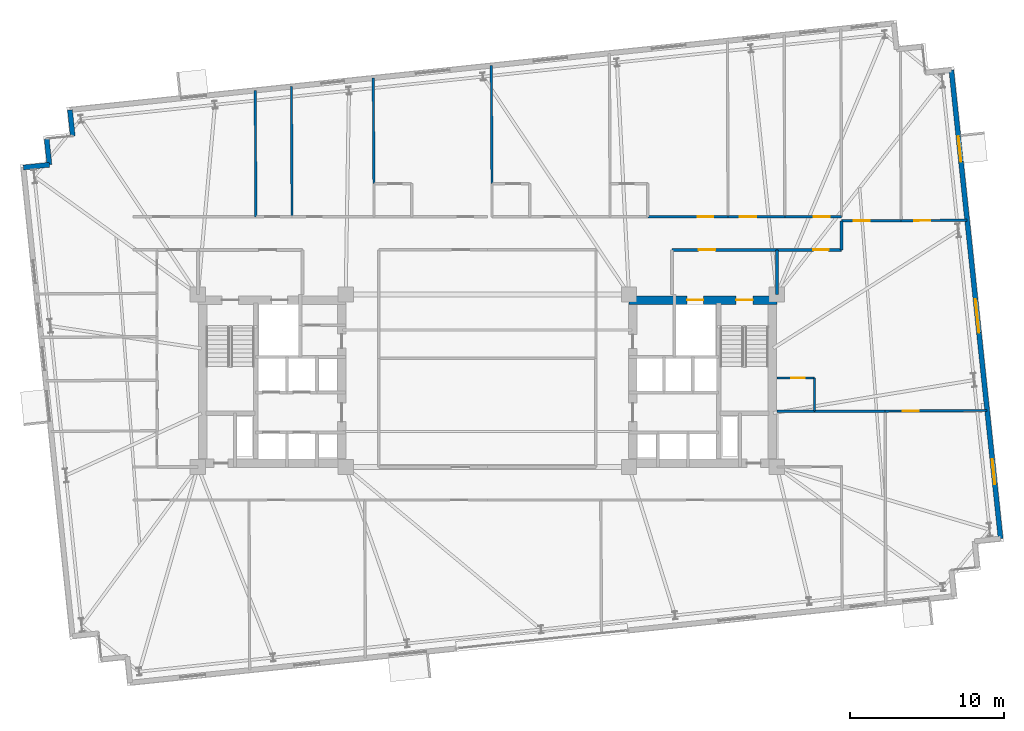
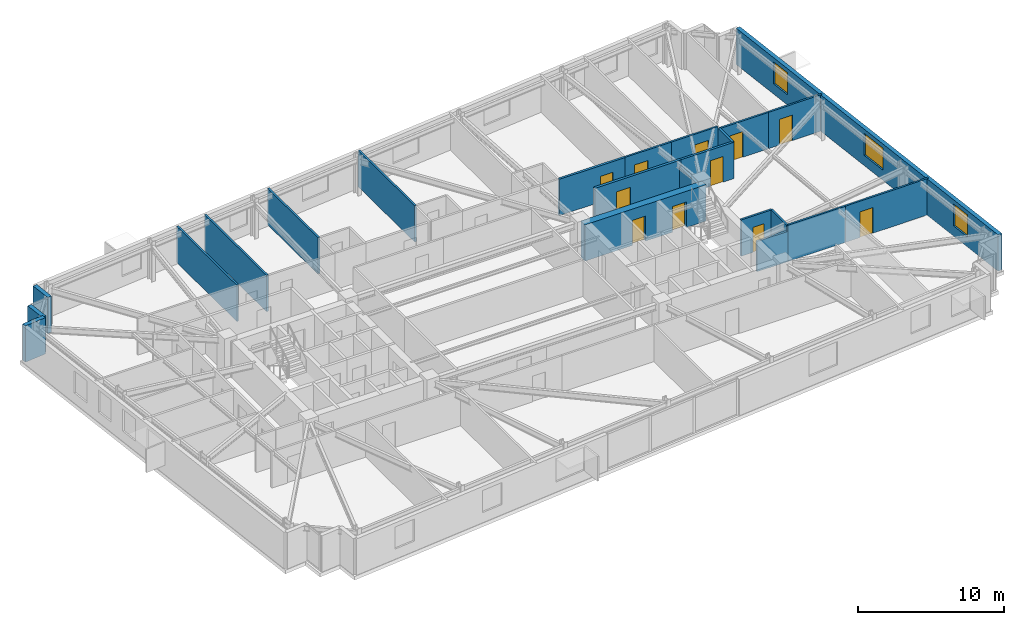
# One storey, part 19 of 23: 23 walls, 11 doors, 3 windows, 14 openings.
"""IFC4 building model written with IfcOpenShell, lengths in metres."""

from ifc_helpers import new_model, si_unit, direction, frame, frame_2d, origin, place, context, subcontext, project, spatial, rectangle, extrude, material, layer, layer_set, type_object, element, fill, save


model = new_model("IFC4")

# Units and contexts
model_context = context("Model", 3, precision=1e-05, world=origin(), true_north=direction((0.0, 1.0)))
body_context = subcontext(model_context, "Body", "Model", "MODEL_VIEW")
ifc_project = project(units=[si_unit("LENGTHUNIT", "METRE"), si_unit("AREAUNIT", "SQUARE_METRE"), si_unit("VOLUMEUNIT", "CUBIC_METRE"), si_unit("PLANEANGLEUNIT", "RADIAN"), si_unit("MASSUNIT", "GRAM", prefix="KILO")], contexts=[model_context])

# Site, building, storey
site_placement = place(None, origin())
site = spatial("IfcSite", under=ifc_project, at=site_placement, CompositionType="ELEMENT")
building_placement = place(site_placement, origin())
building = spatial("IfcBuilding", under=site, at=building_placement, Name="Qobustan Lattice House", CompositionType="ELEMENT")
storey_placement = place(building_placement, frame((0.0, 0.0, 102.449951171875)))
storey = spatial("IfcBuildingStorey", under=building, at=storey_placement, Name="L28", CompositionType="ELEMENT", Elevation=102.449951171875)

# Wall, openings, doors
ifc_material_1 = material(Name="Concrete C60/75", Category="concrete")
ifc_layer_1 = layer(ifc_material_1, 0.56005859375)
ifc_layer_set_1 = layer_set([ifc_layer_1], Name="Concrete C60/75")
wall_type_1 = type_object("IfcWallType", Name="WAL-CORE-600", PredefinedType="SHEAR", material=ifc_layer_set_1)
wall_1_placement = place(storey_placement, frame((9.199951171875, 5.239990234375, 0.0), z_axis=(0.0, 0.0, 1.0), x_axis=(1.0, 0.0, 0.0)))
wall_1 = element("IfcWall", 1, at=wall_1_placement, inside=storey, type_object=wall_type_1, Name="L28 split-core shear wall CE-N", PredefinedType="SHEAR", context=body_context, shape_type="SweptSolid", body=[
    extrude(rectangle(XDim=9.60009765625, YDim=0.56005859375, at=frame_2d((4.800048828125, 0.0))), origin(), (0.0, 0.0, 1.0), 3.045166015625),
])
opening_1_placement = place(wall_1_placement, frame((6.949951171875, 0.0, 0.0)))
opening_1 = element("IfcOpeningElement", 2, at=opening_1_placement, cuts=wall_1, Name="Opening SD-01", PredefinedType="OPENING", context=body_context, shape_type="SweptSolid", body=[
    extrude(rectangle(XDim=1.10009765625, YDim=2.14990234375, at=frame_2d((0.550048828125, 1.074951171875))), frame((0.0, 0.2900390625, 0.0), z_axis=(0.0, -1.0, 0.0), x_axis=(1.0, 0.0, 0.0)), (0.0, 0.0, 1.0), 0.580078125),
])
opening_2_placement = place(wall_1_placement, frame((3.77490234375, 0.0, 0.0)))
opening_2 = element("IfcOpeningElement", 3, at=opening_2_placement, cuts=wall_1, Name="Opening LD-01", PredefinedType="OPENING", context=body_context, shape_type="SweptSolid", body=[
    extrude(rectangle(XDim=1.050048828125, YDim=2.10009765625, at=frame_2d((0.52490234375, 1.050048828125))), frame((0.0, 0.2900390625, 0.0), z_axis=(0.0, -1.0, 0.0), x_axis=(1.0, 0.0, 0.0)), (0.0, 0.0, 1.0), 0.580078125),
])
ifc_material_2 = material(Name="Persian walnut timber and steel frame door", Category="steel")
door_type_1 = type_object("IfcDoorType", Name="DOR-LIFT-LD-1050x2100", OperationType="NOTDEFINED", PredefinedType="DOOR", material=ifc_material_2)
door_1_placement = place(opening_2_placement, origin())
door_1 = element("IfcDoor", 4, at=door_1_placement, inside=storey, type_object=door_type_1, Name="L28 firefighting lift FF-E landing door", OperationType="DOUBLE_DOOR_SLIDING", OverallHeight=2.10009765625, OverallWidth=1.050048828125, PredefinedType="DOOR", context=body_context, shape_type="SweptSolid", body=[
    extrude(rectangle(XDim=1.050048828125, YDim=2.10009765625, at=frame_2d((0.52490234375, 1.050048828125))), frame((0.0, 0.02490234375, 0.0), z_axis=(0.0, -1.0, 0.0), x_axis=(1.0, 0.0, 0.0)), (0.0, 0.0, 1.0), 0.050048828125),
])
fill(opening_2, door_1)
ifc_material_3 = material(Name="Persian walnut timber and steel frame door", Category="steel")
door_type_2 = type_object("IfcDoorType", Name="DOR-STAIR-FD-1100x2150", OperationType="NOTDEFINED", PredefinedType="DOOR", material=ifc_material_3)
door_2_placement = place(opening_1_placement, origin())
door_2 = element("IfcDoor", 5, at=door_2_placement, inside=storey, type_object=door_type_2, Name="L28 exit stair ST-E1 fire door", OperationType="SINGLE_SWING_RIGHT", OverallHeight=2.14990234375, OverallWidth=1.10009765625, PredefinedType="DOOR", context=body_context, shape_type="SweptSolid", body=[
    extrude(rectangle(XDim=1.10009765625, YDim=2.14990234375, at=frame_2d((0.550048828125, 1.074951171875))), frame((0.0, 0.02490234375, 0.0), z_axis=(0.0, -1.0, 0.0), x_axis=(1.0, 0.0, 0.0)), (0.0, 0.0, 1.0), 0.050048828125),
])
fill(opening_1, door_2)

# Walls
ifc_material_4 = material(Name="Precast concrete C40/50", Category="concrete")
ifc_layer_2 = layer(ifc_material_4, 0.320068359375)
ifc_layer_set_2 = layer_set([ifc_layer_2], Name="Precast concrete C40/50")
wall_type_2 = type_object("IfcWallType", Name="WAL-EXT-STONE-320", PredefinedType="SOLIDWALL", material=ifc_layer_set_2)
for number, where, z_axis, x_axis, name in (
    (6, (-30.13330078125, 13.84912109375, 0.0), (0.0, 0.0, 1.0), (0.994534530939, 0.104408173862, 0.0), "L28 exterior limestone-clad wall 6"),
    (7, (-28.442626953125, 14.026611328125, 0.0), (0.0, 0.0, 1.0), (-0.104550220202, 0.994519608382, 0.0), "L28 exterior limestone-clad wall 7"),
    (8, (-26.9296875, 15.89501953125, 0.0), (0.0, 0.0, 1.0), (-0.104550220202, 0.994519608382, 0.0), "L28 exterior limestone-clad wall 9"),
):
    element("IfcWall", number, at=place(storey_placement, frame(where, z_axis=z_axis, x_axis=x_axis)), inside=storey, type_object=wall_type_2, Name=name, PredefinedType="SOLIDWALL", context=body_context, shape_type="SweptSolid", body=[
        extrude(rectangle(XDim=1.699951171875, YDim=0.320068359375, at=frame_2d((0.85009765625, 0.0))), origin(), (0.0, 0.0, 1.0), 3.045166015625),
    ])

# Wall, openings, windows
wall_2_placement = place(storey_placement, frame((30.134765625, 20.183349609375, 0.0), z_axis=(0.0, 0.0, 1.0), x_axis=(0.104525716865, -0.994522184023, 0.0)))
wall_2 = element("IfcWall", 9, at=wall_2_placement, inside=storey, type_object=wall_type_2, Name="L28 exterior limestone-clad wall 15", PredefinedType="SOLIDWALL", context=body_context, shape_type="SweptSolid", body=[
    extrude(rectangle(XDim=30.60009765625, YDim=0.320068359375, at=frame_2d((15.300048828125, 0.0))), origin(), (0.0, 0.0, 1.0), 3.045166015625),
])
opening_3_placement = place(wall_2_placement, frame((4.341796875, 0.0, 0.85009765625)))
opening_3 = element("IfcOpeningElement", 10, at=opening_3_placement, cuts=wall_2, Name="Opening WN-09", PredefinedType="OPENING", context=body_context, shape_type="SweptSolid", body=[
    extrude(rectangle(XDim=1.64990234375, YDim=1.85009765625, at=frame_2d((0.824951171875, 0.925048828125))), frame((0.0, 0.169921875, 0.0), z_axis=(0.0, -1.0, 0.0), x_axis=(1.0, 0.0, 0.0)), (0.0, 0.0, 1.0), 0.340087890625),
])
opening_4_placement = place(wall_2_placement, frame((14.9609375, 0.0, 0.85009765625)))
opening_4 = element("IfcOpeningElement", 11, at=opening_4_placement, cuts=wall_2, Name="Opening WN-03", PredefinedType="OPENING", context=body_context, shape_type="SweptSolid", body=[
    extrude(rectangle(XDim=2.199951171875, YDim=1.85009765625, at=frame_2d((1.10009765625, 0.925048828125))), frame((0.0, 0.169921875, 0.0), z_axis=(0.0, -1.0, 0.0), x_axis=(1.0, 0.0, 0.0)), (0.0, 0.0, 1.0), 0.340087890625),
])
opening_5_placement = place(wall_2_placement, frame((25.4091796875, 0.0, 0.85009765625)))
opening_5 = element("IfcOpeningElement", 12, at=opening_5_placement, cuts=wall_2, Name="Opening WN-09", PredefinedType="OPENING", context=body_context, shape_type="SweptSolid", body=[
    extrude(rectangle(XDim=1.64990234375, YDim=1.85009765625, at=frame_2d((0.824951171875, 0.925048828125))), frame((0.0, 0.169921875, 0.0), z_axis=(0.0, -1.0, 0.0), x_axis=(1.0, 0.0, 0.0)), (0.0, 0.0, 1.0), 0.340087890625),
])
ifc_material_5 = material(Name="Double-glazed low-E aluminium window", Category="aluminium")
window_type_1 = type_object("IfcWindowType", Name="WIN-STU-1650x1850", PartitioningType="SINGLE_PANEL", PredefinedType="WINDOW", material=ifc_material_5)
window_1_placement = place(opening_3_placement, origin())
window_1 = element("IfcWindow", 13, at=window_1_placement, inside=storey, type_object=window_type_1, Name="L28 Focus study room E3B window", OverallHeight=1.85009765625, OverallWidth=1.64990234375, PartitioningType="SINGLE_PANEL", PredefinedType="WINDOW", context=body_context, shape_type="SweptSolid", body=[
    extrude(rectangle(XDim=1.64990234375, YDim=1.85009765625, at=frame_2d((0.824951171875, 0.925048828125))), frame((0.0, 0.030029296875, 0.0), z_axis=(0.0, -1.0, 0.0), x_axis=(1.0, 0.0, 0.0)), (0.0, 0.0, 1.0), 0.06005859375),
])
fill(opening_3, window_1)
window_2_placement = place(opening_5_placement, origin())
window_2 = element("IfcWindow", 14, at=window_2_placement, inside=storey, type_object=window_type_1, Name="L28 Focus study room E1B window", OverallHeight=1.85009765625, OverallWidth=1.64990234375, PartitioningType="SINGLE_PANEL", PredefinedType="WINDOW", context=body_context, shape_type="SweptSolid", body=[
    extrude(rectangle(XDim=1.64990234375, YDim=1.85009765625, at=frame_2d((0.824951171875, 0.925048828125))), frame((0.0, 0.030029296875, 0.0), z_axis=(0.0, -1.0, 0.0), x_axis=(1.0, 0.0, 0.0)), (0.0, 0.0, 1.0), 0.06005859375),
])
fill(opening_5, window_2)
ifc_material_6 = material(Name="Double-glazed low-E aluminium window", Category="aluminium")
window_type_2 = type_object("IfcWindowType", Name="WIN-WIDE-2200x1850", PartitioningType="SINGLE_PANEL", PredefinedType="WINDOW", material=ifc_material_6)
window_3_placement = place(opening_4_placement, origin())
window_3 = element("IfcWindow", 15, at=window_3_placement, inside=storey, type_object=window_type_2, Name="L28 Kitchenette and studio apartment L28-E2 window", OverallHeight=1.85009765625, OverallWidth=2.199951171875, PartitioningType="SINGLE_PANEL", PredefinedType="WINDOW", context=body_context, shape_type="SweptSolid", body=[
    extrude(rectangle(XDim=2.199951171875, YDim=1.85009765625, at=frame_2d((1.10009765625, 0.925048828125))), frame((0.0, 0.030029296875, 0.0), z_axis=(0.0, -1.0, 0.0), x_axis=(1.0, 0.0, 0.0)), (0.0, 0.0, 1.0), 0.06005859375),
])
fill(opening_4, window_3)

# Wall, opening, door
ifc_material_7 = material(Name="Gypsum fireboard acoustic partition", Category="gypsum")
ifc_layer_3 = layer(ifc_material_7, 0.179931640625)
ifc_layer_set_3 = layer_set([ifc_layer_3], Name="Gypsum fireboard acoustic partition")
wall_type_3 = type_object("IfcWallType", Name="WAL-FIRE-180", PredefinedType="PARTITIONING", material=ifc_layer_set_3)
wall_3_placement = place(storey_placement, frame((23.0, 8.5, 0.0), z_axis=(0.0, 0.0, 1.0), x_axis=(-1.0, 0.0, 0.0)))
wall_3 = element("IfcWall", 16, at=wall_3_placement, inside=storey, type_object=wall_type_3, Name="L28 interior partition 45", PredefinedType="PARTITIONING", context=body_context, shape_type="SweptSolid", body=[
    extrude(rectangle(XDim=4.199951171875, YDim=0.179931640625, at=frame_2d((2.10009765625, 0.0))), origin(), (0.0, 0.0, 1.0), 3.045166015625),
])
opening_6_placement = place(wall_3_placement, frame((0.8349609375, 0.0, 0.0)))
opening_6 = element("IfcOpeningElement", 17, at=opening_6_placement, cuts=wall_3, Name="Opening FD-02", PredefinedType="OPENING", context=body_context, shape_type="SweptSolid", body=[
    extrude(rectangle(XDim=1.0, YDim=2.14990234375, at=frame_2d((0.5, 1.074951171875))), frame((0.0, 0.099853515625, 0.0), z_axis=(0.0, -1.0, 0.0), x_axis=(1.0, 0.0, 0.0)), (0.0, 0.0, 1.0), 0.199951171875),
])
ifc_material_8 = material(Name="Persian walnut timber and steel frame door", Category="steel")
door_type_3 = type_object("IfcDoorType", Name="DOR-UNIT-FD-1000x2150", OperationType="NOTDEFINED", PredefinedType="DOOR", material=ifc_material_8)
door_3_placement = place(opening_6_placement, origin())
door_3 = element("IfcDoor", 18, at=door_3_placement, inside=storey, type_object=door_type_3, Name="L28 North-east floor corridor to Kitchenette and studio apartment L28-E2 door", OperationType="SINGLE_SWING_RIGHT", OverallHeight=2.14990234375, OverallWidth=1.0, PredefinedType="DOOR", context=body_context, shape_type="SweptSolid", body=[
    extrude(rectangle(XDim=1.0, YDim=2.14990234375, at=frame_2d((0.5, 1.074951171875))), frame((0.0, 0.02490234375, 0.0), z_axis=(0.0, -1.0, 0.0), x_axis=(1.0, 0.0, 0.0)), (0.0, 0.0, 1.0), 0.050048828125),
])
fill(opening_6, door_3)

# Wall
wall_4_placement = place(storey_placement, frame((23.0, 10.387939453125, 0.0), z_axis=(0.0, 0.0, 1.0), x_axis=(0.0, -1.0, 0.0)))
element("IfcWall", 19, at=wall_4_placement, inside=storey, type_object=wall_type_3, Name="L28 interior partition 46", PredefinedType="PARTITIONING", context=body_context, shape_type="SweptSolid", body=[
    extrude(rectangle(XDim=1.887939453125, YDim=0.179931640625, at=frame_2d((0.94384765625, 0.0))), origin(), (0.0, 0.0, 1.0), 3.045166015625),
])

# Wall, opening, door
wall_5_placement = place(storey_placement, frame((10.4169921875, 10.64990234375, 0.0), z_axis=(0.0, 0.0, 1.0), x_axis=(1.0, 0.0, 0.0)))
wall_5 = element("IfcWall", 20, at=wall_5_placement, inside=storey, type_object=wall_type_3, Name="L28 interior partition 49", PredefinedType="PARTITIONING", context=body_context, shape_type="SweptSolid", body=[
    extrude(rectangle(XDim=5.216064453125, YDim=0.179931640625, at=frame_2d((2.60791015625, 0.0))), origin(), (0.0, 0.0, 1.0), 3.045166015625),
])
opening_7_placement = place(wall_5_placement, frame((3.25390625, 0.0, 0.0)))
opening_7 = element("IfcOpeningElement", 21, at=opening_7_placement, cuts=wall_5, Name="Opening FD-02", PredefinedType="OPENING", context=body_context, shape_type="SweptSolid", body=[
    extrude(rectangle(XDim=1.0, YDim=2.14990234375, at=frame_2d((0.5, 1.074951171875))), frame((0.0, 0.099853515625, 0.0), z_axis=(0.0, -1.0, 0.0), x_axis=(1.0, 0.0, 0.0)), (0.0, 0.0, 1.0), 0.199951171875),
])
door_4_placement = place(opening_7_placement, origin())
door_4 = element("IfcDoor", 22, at=door_4_placement, inside=storey, type_object=door_type_3, Name="L28 North-east floor corridor to Kitchenette and studio apartment L28-N5 door", OperationType="SINGLE_SWING_RIGHT", OverallHeight=2.14990234375, OverallWidth=1.0, PredefinedType="DOOR", context=body_context, shape_type="SweptSolid", body=[
    extrude(rectangle(XDim=1.0, YDim=2.14990234375, at=frame_2d((0.5, 1.074951171875))), frame((0.0, 0.02490234375, 0.0), z_axis=(0.0, -1.0, 0.0), x_axis=(1.0, 0.0, 0.0)), (0.0, 0.0, 1.0), 0.050048828125),
])
fill(opening_7, door_4)

ifc_material_9 = material(Name="Acoustic twin-stud gypsum partition", Category="gypsum")
ifc_layer_4 = layer(ifc_material_9, 0.14990234375)
ifc_layer_set_4 = layer_set([ifc_layer_4], Name="Acoustic twin-stud gypsum partition")
wall_type_4 = type_object("IfcWallType", Name="WAL-PART-150", PredefinedType="PARTITIONING", material=ifc_layer_set_4)
wall_6_placement = place(storey_placement, frame((15.633056640625, 10.64990234375, 0.0), z_axis=(0.0, 0.0, 1.0), x_axis=(1.0, 0.0, 0.0)))
wall_6 = element("IfcWall", 23, at=wall_6_placement, inside=storey, type_object=wall_type_4, Name="L28 interior partition 51", PredefinedType="PARTITIONING", context=body_context, shape_type="SweptSolid", body=[
    extrude(rectangle(XDim=3.683349609375, YDim=0.14990234375, at=frame_2d((1.841796875, 0.0))), origin(), (0.0, 0.0, 1.0), 3.045166015625),
])
opening_8_placement = place(wall_6_placement, frame((0.76416015625, 0.0, 0.0)))
opening_8 = element("IfcOpeningElement", 24, at=opening_8_placement, cuts=wall_6, Name="Opening ID-02", PredefinedType="OPENING", context=body_context, shape_type="SweptSolid", body=[
    extrude(rectangle(XDim=1.050048828125, YDim=2.14990234375, at=frame_2d((0.52490234375, 1.074951171875))), frame((0.0, 0.0849609375, 0.0), z_axis=(0.0, -1.0, 0.0), x_axis=(1.0, 0.0, 0.0)), (0.0, 0.0, 1.0), 0.169921875),
])
ifc_material_10 = material(Name="Persian walnut timber and steel frame door", Category="steel")
door_type_4 = type_object("IfcDoorType", Name="DOR-STUDY-1050x2150", OperationType="NOTDEFINED", PredefinedType="DOOR", material=ifc_material_10)
door_5_placement = place(opening_8_placement, origin())
door_5 = element("IfcDoor", 25, at=door_5_placement, inside=storey, type_object=door_type_4, Name="L28 North-east floor corridor to Focus study room N6A door", OperationType="SINGLE_SWING_LEFT", OverallHeight=2.14990234375, OverallWidth=1.050048828125, PredefinedType="DOOR", context=body_context, shape_type="SweptSolid", body=[
    extrude(rectangle(XDim=1.050048828125, YDim=2.14990234375, at=frame_2d((0.52490234375, 1.074951171875))), frame((0.0, 0.02490234375, 0.0), z_axis=(0.0, -1.0, 0.0), x_axis=(1.0, 0.0, 0.0)), (0.0, 0.0, 1.0), 0.050048828125),
])
fill(opening_8, door_5)

wall_7_placement = place(storey_placement, frame((19.31640625, 10.64990234375, 0.0), z_axis=(0.0, 0.0, 1.0), x_axis=(1.0, 0.0, 0.0)))
wall_7 = element("IfcWall", 26, at=wall_7_placement, inside=storey, type_object=wall_type_4, Name="L28 interior partition 52", PredefinedType="PARTITIONING", context=body_context, shape_type="SweptSolid", body=[
    extrude(rectangle(XDim=3.68359375, YDim=0.14990234375, at=frame_2d((1.841796875, 0.0))), origin(), (0.0, 0.0, 1.0), 3.045166015625),
])
opening_9_placement = place(wall_7_placement, frame((1.869384765625, 0.0, 0.0)))
opening_9 = element("IfcOpeningElement", 27, at=opening_9_placement, cuts=wall_7, Name="Opening ID-02", PredefinedType="OPENING", context=body_context, shape_type="SweptSolid", body=[
    extrude(rectangle(XDim=1.050048828125, YDim=2.14990234375, at=frame_2d((0.52490234375, 1.074951171875))), frame((0.0, 0.0849609375, 0.0), z_axis=(0.0, -1.0, 0.0), x_axis=(1.0, 0.0, 0.0)), (0.0, 0.0, 1.0), 0.169921875),
])
door_6_placement = place(opening_9_placement, origin())
door_6 = element("IfcDoor", 28, at=door_6_placement, inside=storey, type_object=door_type_4, Name="L28 North-east floor corridor to Focus study room N6B door", OperationType="SINGLE_SWING_RIGHT", OverallHeight=2.14990234375, OverallWidth=1.050048828125, PredefinedType="DOOR", context=body_context, shape_type="SweptSolid", body=[
    extrude(rectangle(XDim=1.050048828125, YDim=2.14990234375, at=frame_2d((0.52490234375, 1.074951171875))), frame((0.0, 0.02490234375, 0.0), z_axis=(0.0, -1.0, 0.0), x_axis=(1.0, 0.0, 0.0)), (0.0, 0.0, 1.0), 0.050048828125),
])
fill(opening_9, door_6)

# Wall
wall_8_placement = place(storey_placement, frame((21.25, -1.971923828125, 0.0), z_axis=(0.0, 0.0, 1.0), x_axis=(1.0, 0.0, 0.0)))
element("IfcWall", 29, at=wall_8_placement, inside=storey, type_object=wall_type_4, Name="L28 interior partition 79", PredefinedType="PARTITIONING", context=body_context, shape_type="SweptSolid", body=[
    extrude(rectangle(XDim=4.585693359375, YDim=0.14990234375, at=frame_2d((2.29296875, 0.0))), origin(), (0.0, 0.0, 1.0), 3.045166015625),
])

# Wall, opening, door
wall_9_placement = place(storey_placement, frame((25.835693359375, -1.971923828125, 0.0), z_axis=(0.0, 0.0, 1.0), x_axis=(0.999977987715, 0.006635064796, 0.0)))
wall_9 = element("IfcWall", 30, at=wall_9_placement, inside=storey, type_object=wall_type_4, Name="L28 interior partition 82", PredefinedType="PARTITIONING", context=body_context, shape_type="SweptSolid", body=[
    extrude(rectangle(XDim=6.623291015625, YDim=0.14990234375, at=frame_2d((3.3115234375, 0.0))), origin(), (0.0, 0.0, 1.0), 3.045166015625),
])
opening_10_placement = place(wall_9_placement, frame((1.131591796875, 0.0, 0.0)))
opening_10 = element("IfcOpeningElement", 31, at=opening_10_placement, cuts=wall_9, Name="Opening ID-02", PredefinedType="OPENING", context=body_context, shape_type="SweptSolid", body=[
    extrude(rectangle(XDim=1.050048828125, YDim=2.14990234375, at=frame_2d((0.52490234375, 1.074951171875))), frame((0.0, 0.0849609375, 0.0), z_axis=(0.0, -1.0, 0.0), x_axis=(1.0, 0.0, 0.0)), (0.0, 0.0, 1.0), 0.169921875),
])
door_7_placement = place(opening_10_placement, origin())
door_7 = element("IfcDoor", 32, at=door_7_placement, inside=storey, type_object=door_type_4, Name="L28 Focus study room E1B to Kitchenette and studio apartment L28-E2 door", OperationType="SINGLE_SWING_RIGHT", OverallHeight=2.14990234375, OverallWidth=1.050048828125, PredefinedType="DOOR", context=body_context, shape_type="SweptSolid", body=[
    extrude(rectangle(XDim=1.050048828125, YDim=2.14990234375, at=frame_2d((0.52490234375, 1.074951171875))), frame((0.0, 0.02490234375, 0.0), z_axis=(0.0, -1.0, 0.0), x_axis=(1.0, 0.0, 0.0)), (0.0, 0.0, 1.0), 0.050048828125),
])
fill(opening_10, door_7)

wall_10_placement = place(storey_placement, frame((23.0, 10.387939453125, 0.0), z_axis=(0.0, 0.0, 1.0), x_axis=(1.0, 0.0, 0.0)))
wall_10 = element("IfcWall", 33, at=wall_10_placement, inside=storey, type_object=wall_type_4, Name="L28 interior partition 85", PredefinedType="PARTITIONING", context=body_context, shape_type="SweptSolid", body=[
    extrude(rectangle(XDim=3.87109375, YDim=0.14990234375, at=frame_2d((1.935546875, 0.0))), origin(), (0.0, 0.0, 1.0), 3.045166015625),
])
opening_11_placement = place(wall_10_placement, frame((0.78759765625, 0.0, 0.0)))
opening_11 = element("IfcOpeningElement", 34, at=opening_11_placement, cuts=wall_10, Name="Opening ID-02", PredefinedType="OPENING", context=body_context, shape_type="SweptSolid", body=[
    extrude(rectangle(XDim=1.050048828125, YDim=2.14990234375, at=frame_2d((0.52490234375, 1.074951171875))), frame((0.0, 0.0849609375, 0.0), z_axis=(0.0, -1.0, 0.0), x_axis=(1.0, 0.0, 0.0)), (0.0, 0.0, 1.0), 0.169921875),
])
door_8_placement = place(opening_11_placement, origin())
door_8 = element("IfcDoor", 35, at=door_8_placement, inside=storey, type_object=door_type_4, Name="L28 Kitchenette and studio apartment L28-E2 to Focus study room E3A door", OperationType="SINGLE_SWING_RIGHT", OverallHeight=2.14990234375, OverallWidth=1.050048828125, PredefinedType="DOOR", context=body_context, shape_type="SweptSolid", body=[
    extrude(rectangle(XDim=1.050048828125, YDim=2.14990234375, at=frame_2d((0.52490234375, 1.074951171875))), frame((0.0, 0.02490234375, 0.0), z_axis=(0.0, -1.0, 0.0), x_axis=(1.0, 0.0, 0.0)), (0.0, 0.0, 1.0), 0.050048828125),
])
fill(opening_11, door_8)

wall_11_placement = place(storey_placement, frame((26.87109375, 10.387939453125, 0.0), z_axis=(0.0, 0.0, 1.0), x_axis=(0.999947502931, 0.010246530259, 0.0)))
wall_11 = element("IfcWall", 36, at=wall_11_placement, inside=storey, type_object=wall_type_4, Name="L28 interior partition 86", PredefinedType="PARTITIONING", context=body_context, shape_type="SweptSolid", body=[
    extrude(rectangle(XDim=4.288818359375, YDim=0.14990234375, at=frame_2d((2.14453125, 0.0))), origin(), (0.0, 0.0, 1.0), 3.045166015625),
])
opening_12_placement = place(wall_11_placement, frame((0.83984375, 0.0, 0.0)))
opening_12 = element("IfcOpeningElement", 37, at=opening_12_placement, cuts=wall_11, Name="Opening ID-02", PredefinedType="OPENING", context=body_context, shape_type="SweptSolid", body=[
    extrude(rectangle(XDim=1.050048828125, YDim=2.14990234375, at=frame_2d((0.52490234375, 1.074951171875))), frame((0.0, 0.0849609375, 0.0), z_axis=(0.0, -1.0, 0.0), x_axis=(1.0, 0.0, 0.0)), (0.0, 0.0, 1.0), 0.169921875),
])
door_9_placement = place(opening_12_placement, origin())
door_9 = element("IfcDoor", 38, at=door_9_placement, inside=storey, type_object=door_type_4, Name="L28 Kitchenette and studio apartment L28-E2 to Focus study room E3B door", OperationType="SINGLE_SWING_LEFT", OverallHeight=2.14990234375, OverallWidth=1.050048828125, PredefinedType="DOOR", context=body_context, shape_type="SweptSolid", body=[
    extrude(rectangle(XDim=1.050048828125, YDim=2.14990234375, at=frame_2d((0.52490234375, 1.074951171875))), frame((0.0, 0.02490234375, 0.0), z_axis=(0.0, -1.0, 0.0), x_axis=(1.0, 0.0, 0.0)), (0.0, 0.0, 1.0), 0.050048828125),
])
fill(opening_12, door_9)

# Walls
wall_12_placement = place(storey_placement, frame((-7.410888671875, 19.656005859375, 0.0), z_axis=(0.0, 0.0, 1.0), x_axis=(0.006409668201, -0.999979457866, 0.0)))
element("IfcWall", 39, at=wall_12_placement, inside=storey, type_object=wall_type_4, Name="L28 interior partition 91", PredefinedType="PARTITIONING", context=body_context, shape_type="SweptSolid", body=[
    extrude(rectangle(XDim=6.856201171875, YDim=0.14990234375, at=frame_2d((3.42822265625, 0.0))), origin(), (0.0, 0.0, 1.0), 3.045166015625),
])
wall_13_placement = place(storey_placement, frame((0.256103515625, 20.461669921875, 0.0), z_axis=(0.0, 0.0, 1.0), x_axis=(0.00573567775, -0.999983550865, 0.0)))
element("IfcWall", 40, at=wall_13_placement, inside=storey, type_object=wall_type_4, Name="L28 interior partition 95", PredefinedType="PARTITIONING", context=body_context, shape_type="SweptSolid", body=[
    extrude(rectangle(XDim=7.661865234375, YDim=0.14990234375, at=frame_2d((3.8310546875, 0.0))), origin(), (0.0, 0.0, 1.0), 3.045166015625),
])

# Wall, opening, door
ifc_material_11 = material(Name="Two-hour gypsum fireboard acoustic partition", Category="gypsum")
ifc_layer_5 = layer(ifc_material_11, 0.199951171875)
ifc_layer_set_5 = layer_set([ifc_layer_5], Name="Two-hour gypsum fireboard acoustic partition")
wall_type_5 = type_object("IfcWallType", Name="WAL-PROT-200", PredefinedType="PARTITIONING", material=ifc_layer_set_5)
wall_14_placement = place(storey_placement, frame((18.800048828125, 8.5, 0.0), z_axis=(0.0, 0.0, 1.0), x_axis=(-1.0, 0.0, 0.0)))
wall_14 = element("IfcWall", 41, at=wall_14_placement, inside=storey, type_object=wall_type_5, Name="L28 interior partition 22", PredefinedType="PARTITIONING", context=body_context, shape_type="SweptSolid", body=[
    extrude(rectangle(XDim=6.800048828125, YDim=0.199951171875, at=frame_2d((3.39990234375, 0.0))), origin(), (0.0, 0.0, 1.0), 3.045166015625),
])
opening_13_placement = place(wall_14_placement, frame((3.985107421875, 0.0, 0.0)))
opening_13 = element("IfcOpeningElement", 42, at=opening_13_placement, cuts=wall_14, Name="Opening SD-01", PredefinedType="OPENING", context=body_context, shape_type="SweptSolid", body=[
    extrude(rectangle(XDim=1.10009765625, YDim=2.14990234375, at=frame_2d((0.550048828125, 1.074951171875))), frame((0.0, 0.10986328125, 0.0), z_axis=(0.0, -1.0, 0.0), x_axis=(1.0, 0.0, 0.0)), (0.0, 0.0, 1.0), 0.219970703125),
])
door_10_placement = place(opening_13_placement, origin())
door_10 = element("IfcDoor", 43, at=door_10_placement, inside=storey, type_object=door_type_2, Name="L28 East firefighting lift lobby to North-east floor corridor door", OperationType="SINGLE_SWING_LEFT", OverallHeight=2.14990234375, OverallWidth=1.10009765625, PredefinedType="DOOR", context=body_context, shape_type="SweptSolid", body=[
    extrude(rectangle(XDim=1.10009765625, YDim=2.14990234375, at=frame_2d((0.550048828125, 1.074951171875))), frame((0.0, 0.02490234375, 0.0), z_axis=(0.0, -1.0, 0.0), x_axis=(1.0, 0.0, 0.0)), (0.0, 0.0, 1.0), 0.050048828125),
])
fill(opening_13, door_10)

# Walls
wall_15_placement = place(storey_placement, frame((18.800048828125, 5.60009765625, 0.0), z_axis=(0.0, 0.0, 1.0), x_axis=(0.0, 1.0, 0.0)))
element("IfcWall", 44, at=wall_15_placement, inside=storey, type_object=wall_type_5, Name="L28 interior partition 24", PredefinedType="PARTITIONING", context=body_context, shape_type="SweptSolid", body=[
    extrude(rectangle(XDim=2.89990234375, YDim=0.199951171875, at=frame_2d((1.449951171875, 0.0))), origin(), (0.0, 0.0, 1.0), 2.530029296875),
])
ifc_material_12 = material(Name="Moisture-resistant acoustic plumbing wall", Category="gypsum")
ifc_layer_6 = layer(ifc_material_12, 0.14990234375)
ifc_layer_set_6 = layer_set([ifc_layer_6], Name="Moisture-resistant acoustic plumbing wall")
wall_type_6 = type_object("IfcWallType", Name="WAL-WET-150", PredefinedType="PLUMBINGWALL", material=ifc_layer_set_6)
wall_16_placement = place(storey_placement, frame((18.800048828125, -1.971923828125, 0.0), z_axis=(0.0, 0.0, 1.0), x_axis=(1.0, 0.0, 0.0)))
element("IfcWall", 45, at=wall_16_placement, inside=storey, type_object=wall_type_6, Name="L28 interior partition 80", PredefinedType="PLUMBINGWALL", context=body_context, shape_type="SweptSolid", body=[
    extrude(rectangle(XDim=2.449951171875, YDim=0.14990234375, at=frame_2d((1.22509765625, 0.0))), origin(), (0.0, 0.0, 1.0), 2.530029296875),
])

# Wall, opening, door
wall_17_placement = place(storey_placement, frame((21.25, 0.177978515625, 0.0), z_axis=(0.0, 0.0, 1.0), x_axis=(-1.0, 0.0, 0.0)))
wall_17 = element("IfcWall", 46, at=wall_17_placement, inside=storey, type_object=wall_type_6, Name="L28 interior partition 83", PredefinedType="PLUMBINGWALL", context=body_context, shape_type="SweptSolid", body=[
    extrude(rectangle(XDim=2.449951171875, YDim=0.14990234375, at=frame_2d((1.22509765625, 0.0))), origin(), (0.0, 0.0, 1.0), 3.045166015625),
])
opening_14_placement = place(wall_17_placement, frame((0.628662109375, 0.0, 0.0)))
opening_14 = element("IfcOpeningElement", 47, at=opening_14_placement, cuts=wall_17, Name="Opening WD-01", PredefinedType="OPENING", context=body_context, shape_type="SweptSolid", body=[
    extrude(rectangle(XDim=0.89990234375, YDim=2.10009765625, at=frame_2d((0.449951171875, 1.050048828125))), frame((0.0, 0.0849609375, 0.0), z_axis=(0.0, -1.0, 0.0), x_axis=(1.0, 0.0, 0.0)), (0.0, 0.0, 1.0), 0.169921875),
])
ifc_material_13 = material(Name="Persian walnut timber and steel frame door", Category="steel")
door_type_5 = type_object("IfcDoorType", Name="DOR-WET-900x2100", OperationType="NOTDEFINED", PredefinedType="DOOR", material=ifc_material_13)
door_11_placement = place(opening_14_placement, origin())
door_11 = element("IfcDoor", 48, at=door_11_placement, inside=storey, type_object=door_type_5, Name="L28 Kitchenette and studio apartment L28-E2 to En-suite bathroom L28-E2 door", OperationType="SINGLE_SWING_LEFT", OverallHeight=2.10009765625, OverallWidth=0.89990234375, PredefinedType="DOOR", context=body_context, shape_type="SweptSolid", body=[
    extrude(rectangle(XDim=0.89990234375, YDim=2.10009765625, at=frame_2d((0.449951171875, 1.050048828125))), frame((0.0, 0.02490234375, 0.0), z_axis=(0.0, -1.0, 0.0), x_axis=(1.0, 0.0, 0.0)), (0.0, 0.0, 1.0), 0.050048828125),
])
fill(opening_14, door_11)

# Walls
wall_18_placement = place(storey_placement, frame((21.25, -1.971923828125, 0.0), z_axis=(0.0, 0.0, 1.0), x_axis=(0.0, 1.0, 0.0)))
element("IfcWall", 49, at=wall_18_placement, inside=storey, type_object=wall_type_6, Name="L28 interior partition 84", PredefinedType="PLUMBINGWALL", context=body_context, shape_type="SweptSolid", body=[
    extrude(rectangle(XDim=2.14990234375, YDim=0.14990234375, at=frame_2d((1.074951171875, 0.0))), origin(), (0.0, 0.0, 1.0), 3.045166015625),
])
wall_19_placement = place(storey_placement, frame((-15.076904296875, 18.85009765625, 0.0), z_axis=(0.0, 0.0, 1.0), x_axis=(0.005358979853, -0.999985640564, 0.0)))
element("IfcWall", 50, at=wall_19_placement, inside=storey, type_object=wall_type_6, Name="L28 interior partition 89", PredefinedType="PLUMBINGWALL", context=body_context, shape_type="SweptSolid", body=[
    extrude(rectangle(XDim=8.2001953125, YDim=0.14990234375, at=frame_2d((4.10009765625, 0.0))), origin(), (0.0, 0.0, 1.0), 3.045166015625),
])
wall_20_placement = place(storey_placement, frame((-12.726806640625, 19.09716796875, 0.0), z_axis=(0.0, 0.0, 1.0), x_axis=(0.005173341175, -0.999986618181, 0.0)))
element("IfcWall", 51, at=wall_20_placement, inside=storey, type_object=wall_type_6, Name="L28 interior partition 90", PredefinedType="PLUMBINGWALL", context=body_context, shape_type="SweptSolid", body=[
    extrude(rectangle(XDim=8.447265625, YDim=0.14990234375, at=frame_2d((4.2236328125, 0.0))), origin(), (0.0, 0.0, 1.0), 3.045166015625),
])

save(model, "model.ifc")
